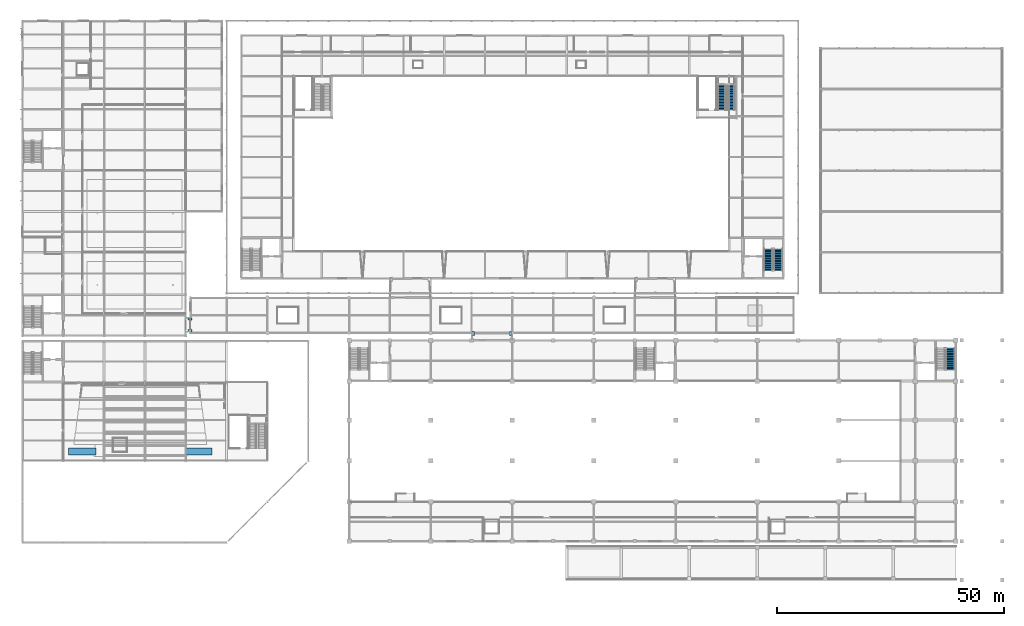
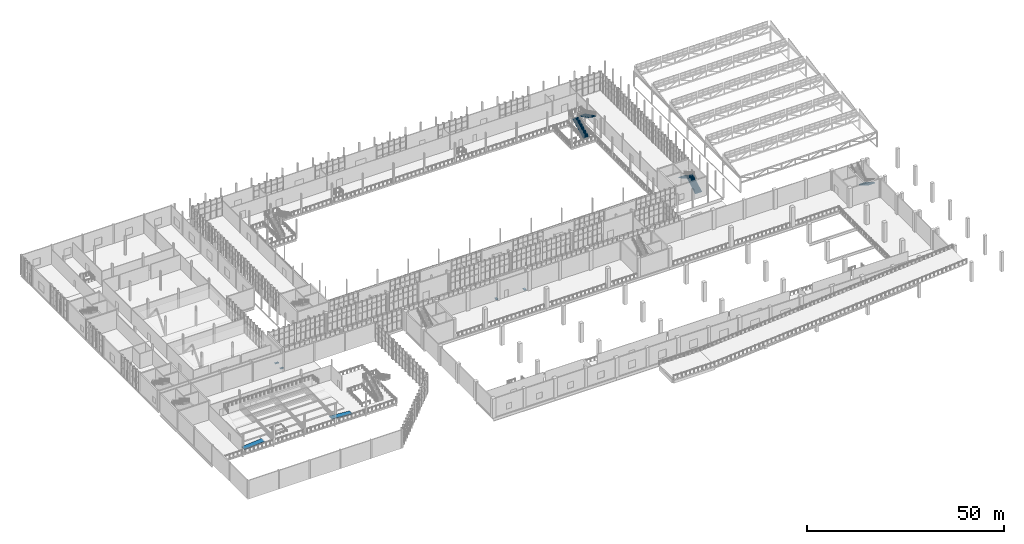
# One storey, part 130 of 159: 5 stair flights, 4 discrete accessories, 2 ramp flights, 5 elements without a shape of their own.
"""IFC4 building model written with IfcOpenShell, lengths in metres."""

import ifcopenshell
import ifcopenshell.guid

model = None  # the IFC model being written
_history = None  # IfcOwnerHistory: only IFC2X3 demands one
_inside = {}  # id of a spatial element -> (the spatial element, [elements in it])
_under = {}  # id of a project, library or spatial element -> (it, [spatial elements below it])
_declared = {}  # id of a project -> (the project, [libraries it declares])
_typed = {}  # id of a type object -> (the type object, [elements of that type])
_made_of = {}  # id of a material, layer set ... -> (it, [elements and type objects made of it])


def new_model(schema):
    """Start an empty IFC model of exactly this schema.

    Asked for "IFC4X3", IfcOpenShell would pick the latest addendum, in which some entities
    have other attributes; the version numbers below select the first issue.
    IFC2X3 requires an IfcOwnerHistory on every rooted entity: one is made here for all.
    """
    global model, _history
    if schema == "IFC4X3":
        model = ifcopenshell.file(schema_version=(4, 3, 0, 0))
    else:
        model = ifcopenshell.file(schema=schema)
    _inside.clear()
    _under.clear()
    _declared.clear()
    _typed.clear()
    _made_of.clear()
    _history = None
    if model.schema == "IFC2X3":
        org = make("IfcOrganization", Name="unknown")
        user = make(
            "IfcPersonAndOrganization",
            ThePerson=make("IfcPerson", FamilyName="unknown"),
            TheOrganization=org,
        )
        app = make(
            "IfcApplication",
            ApplicationDeveloper=org,
            Version="unknown",
            ApplicationFullName="unknown",
            ApplicationIdentifier="unknown",
        )
        _history = make(
            "IfcOwnerHistory",
            OwningUser=user,
            OwningApplication=app,
            ChangeAction="ADDED",
            CreationDate=0,
        )
    return model


def make(cls, **values):
    """One entity of the class cls with the attributes given. An attribute that is None is left unset."""
    return model.create_entity(
        cls, **{name: value for name, value in values.items() if value is not None}
    )


def rooted(cls, **values):
    """An entity with a GlobalId (a new one), such as an element, a storey or a relation."""
    return make(cls, GlobalId=ifcopenshell.guid.new(), OwnerHistory=_history, **values)


def si_unit(unit_type, name, prefix=None):
    """IfcSIUnit, for example si_unit("LENGTHUNIT", "METRE", prefix="MILLI")."""
    return make("IfcSIUnit", UnitType=unit_type, Prefix=prefix, Name=name)


def assignment(units):
    """IfcUnitAssignment: the units of a project."""
    return None if units is None else make("IfcUnitAssignment", Units=units)


def point(xyz):
    """IfcCartesianPoint."""
    return None if xyz is None else make("IfcCartesianPoint", Coordinates=xyz)


def direction(xyz):
    """IfcDirection."""
    return None if xyz is None else make("IfcDirection", DirectionRatios=xyz)


def frame(location, z_axis=None, x_axis=None):
    """IfcAxis2Placement3D, a coordinate frame: its origin and axes. An axis left out is left unset."""
    return make(
        "IfcAxis2Placement3D",
        Location=point(location),
        Axis=direction(z_axis),
        RefDirection=direction(x_axis),
    )


def frame_2d(location, x_axis=None):
    """IfcAxis2Placement2D, a coordinate frame in the plane: its origin and x axis."""
    return make(
        "IfcAxis2Placement2D", Location=point(location), RefDirection=direction(x_axis)
    )


def origin():
    """The frame at (0, 0, 0) with its axes left unset."""
    return frame((0.0, 0.0, 0.0))


def origin_2d():
    """The frame at (0, 0) in the plane with its x axis left unset."""
    return frame_2d((0.0, 0.0))


def place(relative_to, where):
    """IfcLocalPlacement: puts the frame where relative to a parent placement (None: the world)."""
    return make(
        "IfcLocalPlacement", PlacementRelTo=relative_to, RelativePlacement=where
    )


def context(
    kind, dimensions, precision=None, world=None, true_north=None, identifier=None
):
    """IfcGeometricRepresentationContext, for example the 3D "Model" context."""
    return make(
        "IfcGeometricRepresentationContext",
        ContextIdentifier=identifier,
        ContextType=kind,
        CoordinateSpaceDimension=dimensions,
        Precision=precision,
        WorldCoordinateSystem=world,
        TrueNorth=true_north,
    )


def subcontext(parent, identifier, kind, view, scale=None):
    """IfcGeometricRepresentationSubContext, for example "Body" below "Model"."""
    return make(
        "IfcGeometricRepresentationSubContext",
        ContextIdentifier=identifier,
        ContextType=kind,
        ParentContext=parent,
        TargetScale=scale,
        TargetView=view,
    )


def project(units=None, contexts=None):
    """IfcProject with its units and contexts."""
    return rooted(
        "IfcProject",
        Name="project",
        RepresentationContexts=contexts,
        UnitsInContext=assignment(units),
    )


def spatial(cls, under=None, at=None, **own):
    """A site, building, storey or space (cls), placed at a placement, below another one or the project."""
    s = rooted(cls, ObjectPlacement=at, **own)
    if under is not None:
        _under.setdefault(under.id(), (under, []))[1].append(s)
    return s


def polyline(points):
    """IfcPolyline through the points."""
    return make("IfcPolyline", Points=[point(p) for p in points])


def profile(cls, at=None, kind="AREA", **sizes):
    """A parametric profile (cls). Its sizes go by their IFC names, for example OverallWidth=200.0."""
    return make(cls, ProfileType=kind, Position=at, **sizes)


def rectangle(**sizes):
    """IfcRectangleProfileDef."""
    return profile("IfcRectangleProfileDef", **sizes)


def outline(outer, holes=None, kind="AREA"):
    """IfcArbitraryClosedProfileDef: a profile drawn as a closed curve; with holes, ...WithVoids."""
    if holes is None:
        return make("IfcArbitraryClosedProfileDef", ProfileType=kind, OuterCurve=outer)
    return make(
        "IfcArbitraryProfileDefWithVoids",
        ProfileType=kind,
        OuterCurve=outer,
        InnerCurves=holes,
    )


def extrude(swept, where, along, depth):
    """IfcExtrudedAreaSolid: the profile swept, set in the frame where, extruded along a direction by depth."""
    return make(
        "IfcExtrudedAreaSolid",
        SweptArea=swept,
        Position=where,
        ExtrudedDirection=direction(along),
        Depth=depth,
    )


def shape(context_of_items, identifier, shape_type, items):
    """IfcShapeRepresentation: the items that make up one representation, for example the "Body"."""
    return make(
        "IfcShapeRepresentation",
        ContextOfItems=context_of_items,
        RepresentationIdentifier=identifier,
        RepresentationType=shape_type,
        Items=items,
    )


def material(Name=None, Category=None):
    """IfcMaterial."""
    return make("IfcMaterial", Name=Name, Category=Category)


def made_of(thing, what):
    """Note that an element or type object is made of a material, layer set ...; save() writes the relation."""
    if what is not None:
        _made_of.setdefault(what.id(), (what, []))[1].append(thing)
    return thing


def type_object(cls, material=None, **own):
    """A type object (cls), such as IfcWallType, which elements share."""
    return made_of(rooted(cls, **own), material)


def element(
    cls,
    number,
    at=None,
    inside=None,
    cuts=None,
    type_object=None,
    material=None,
    context=None,
    identifier="Body",
    shape_type=None,
    held_by="IfcProductDefinitionShape",
    body=None,
    shapes=None,
    **own,
):
    """One element of the class cls, such as IfcWall. Its Tag is "e" and its number.

    at: its placement. inside: the storey or other place that contains it. cuts: it is an
    opening in that element (IfcRelVoidsElement). A single representation is given by context,
    identifier, shape_type and body (its items); several are given by shapes. held_by: the class
    of the entity that holds the representations. save() writes the other relations.
    """
    e = rooted(cls, Tag="e%d" % number, ObjectPlacement=at, **own)
    if body is not None:
        shapes = [shape(context, identifier, shape_type, body)]
    if shapes is not None:
        e.Representation = make(held_by, Representations=shapes)
    if inside is not None:
        _inside.setdefault(inside.id(), (inside, []))[1].append(e)
    if cuts is not None:
        rooted(
            "IfcRelVoidsElement", RelatingBuildingElement=cuts, RelatedOpeningElement=e
        )
    if type_object is not None:
        _typed.setdefault(type_object.id(), (type_object, []))[1].append(e)
    return made_of(e, material)


def aggregate(whole, parts):
    """IfcRelAggregates: a whole, such as a stair, and the parts it consists of."""
    return rooted("IfcRelAggregates", RelatingObject=whole, RelatedObjects=parts)


def save(model, path):
    """Write the relations noted so far, then the file.

    IfcRelAggregates (storeys below a building ...), IfcRelContainedInSpatialStructure (elements
    in a storey), IfcRelDefinesByType, IfcRelAssociatesMaterial and IfcRelDeclares: one each for
    every whole, place, type object, material and project.
    """
    for whole, parts in _under.values():
        aggregate(whole, parts)
    for where, things in _inside.values():
        rooted(
            "IfcRelContainedInSpatialStructure",
            RelatedElements=things,
            RelatingStructure=where,
        )
    for kind, things in _typed.values():
        rooted("IfcRelDefinesByType", RelatedObjects=things, RelatingType=kind)
    for what, things in _made_of.values():
        rooted("IfcRelAssociatesMaterial", RelatedObjects=things, RelatingMaterial=what)
    for by, libraries in _declared.values():
        rooted("IfcRelDeclares", RelatingContext=by, RelatedDefinitions=libraries)
    model.write(path)


model = new_model("IFC4")

# Units and contexts
model_context = context("Model", 3, precision=1e-05, world=origin(), true_north=direction((0.0, 1.0)))
body_context = subcontext(model_context, "Body", "Model", "MODEL_VIEW")
ifc_project = project(units=[si_unit("LENGTHUNIT", "METRE"), si_unit("AREAUNIT", "SQUARE_METRE"), si_unit("VOLUMEUNIT", "CUBIC_METRE"), si_unit("PLANEANGLEUNIT", "RADIAN"), si_unit("MASSUNIT", "GRAM", prefix="KILO")], contexts=[model_context])

# Site, building, storey
site_placement = place(None, origin())
site = spatial("IfcSite", under=ifc_project, at=site_placement, CompositionType="ELEMENT")
building_placement = place(site_placement, origin())
building = spatial("IfcBuilding", under=site, at=building_placement, Name="Cazmaro Siding Exhibition Halls", CompositionType="ELEMENT")
storey_placement = place(building_placement, frame((0.0, 0.0, 6.0)))
storey = spatial("IfcBuildingStorey", under=building, at=storey_placement, Name="L01", CompositionType="ELEMENT", Elevation=6.0)

# Stair, stair flights
ifc_material_1 = material(Name="Concrete f'c 40 MPa", Category="concrete")
stair_type_1 = type_object("IfcStairType", Name="STT-04", PredefinedType="TWO_STRAIGHT_RUN_STAIR", material=ifc_material_1)
stair_1_placement = place(storey_placement, origin())
stair_1 = element("IfcStair", 1, at=stair_1_placement, inside=storey, type_object=stair_type_1, Name="Core C2 Exit Stair L01-L02 ST-04", PredefinedType="TWO_STRAIGHT_RUN_STAIR")
ifc_material_2 = material(Name="Concrete f'c 40 MPa", Category="concrete")
stair_flight_type_1 = type_object("IfcStairFlightType", Name="STF-04", PredefinedType="STRAIGHT", material=ifc_material_2)
stair_flight_1_placement = place(storey_placement, frame((166.610107421875, 68.9599609375, 0.0), z_axis=(0.0, 0.0, 1.0), x_axis=(0.0, 1.0, 0.0)))
stair_flight_1 = element("IfcStairFlight", 2, at=stair_flight_1_placement, type_object=stair_flight_type_1, Name="ST-04 flight 1", NumberOfRisers=18, NumberOfTreads=17, PredefinedType="STRAIGHT", RiserHeight=0.16667, TreadLength=0.28, context=body_context, shape_type="SweptSolid", body=[
    extrude(outline(polyline([(0.0, 0.0), (0.0, 0.166748046875), (0.280029296875, 0.166748046875), (0.280029296875, 0.333251953125), (0.56005859375, 0.333251953125), (0.56005859375, 0.5), (0.840087890625, 0.5), (0.840087890625, 0.666748046875), (1.1201171875, 0.666748046875), (1.1201171875, 0.833251953125), (1.39990234375, 0.833251953125), (1.39990234375, 1.0), (1.679931640625, 1.0), (1.679931640625, 1.166748046875), (1.9599609375, 1.166748046875), (1.9599609375, 1.333251953125), (2.239990234375, 1.333251953125), (2.239990234375, 1.5), (2.52001953125, 1.5), (2.52001953125, 1.666748046875), (2.800048828125, 1.666748046875), (2.800048828125, 1.833251953125), (3.080078125, 1.833251953125), (3.080078125, 2.0), (3.360107421875, 2.0), (3.360107421875, 2.166748046875), (3.639892578125, 2.166748046875), (3.639892578125, 2.33349609375), (3.919921875, 2.33349609375), (3.919921875, 2.5), (4.199951171875, 2.5), (4.199951171875, 2.666748046875), (4.47998046875, 2.666748046875), (4.47998046875, 2.83349609375), (4.760009765625, 2.83349609375), (4.760009765625, 3.0), (4.760009765625, 2.647216796875), (0.312744140625, 0.0), (0.0, 0.0)])), frame((0.0, 0.96484375, 0.0), z_axis=(0.0, -1.0, 0.0), x_axis=(1.0, 0.0, 0.0)), (0.0, 0.0, 1.0), 1.929931640625),
])
stair_flight_2_placement = place(storey_placement, frame((164.43505859375, 73.719970703125, 3.0), z_axis=(0.0, 0.0, 1.0), x_axis=(0.0, -1.0, 0.0)))
stair_flight_2 = element("IfcStairFlight", 3, at=stair_flight_2_placement, type_object=stair_flight_type_1, Name="ST-04 flight 2", NumberOfRisers=18, NumberOfTreads=17, PredefinedType="STRAIGHT", RiserHeight=0.16667, TreadLength=0.28, context=body_context, shape_type="SweptSolid", body=[
    extrude(outline(polyline([(0.0, 0.0), (0.0, 0.166748046875), (0.280029296875, 0.166748046875), (0.280029296875, 0.333251953125), (0.56005859375, 0.333251953125), (0.56005859375, 0.5), (0.840087890625, 0.5), (0.840087890625, 0.666748046875), (1.1201171875, 0.666748046875), (1.1201171875, 0.833251953125), (1.39990234375, 0.833251953125), (1.39990234375, 1.0), (1.679931640625, 1.0), (1.679931640625, 1.166748046875), (1.9599609375, 1.166748046875), (1.9599609375, 1.333251953125), (2.239990234375, 1.333251953125), (2.239990234375, 1.5), (2.52001953125, 1.5), (2.52001953125, 1.666748046875), (2.800048828125, 1.666748046875), (2.800048828125, 1.833251953125), (3.080078125, 1.833251953125), (3.080078125, 2.0), (3.360107421875, 2.0), (3.360107421875, 2.166748046875), (3.639892578125, 2.166748046875), (3.639892578125, 2.33349609375), (3.919921875, 2.33349609375), (3.919921875, 2.5), (4.199951171875, 2.5), (4.199951171875, 2.666748046875), (4.47998046875, 2.666748046875), (4.47998046875, 2.83349609375), (4.760009765625, 2.83349609375), (4.760009765625, 3.0), (4.760009765625, 2.647216796875), (0.312744140625, 0.0), (0.0, 0.0)])), frame((0.0, 0.96484375, 0.0), z_axis=(0.0, -1.0, 0.0), x_axis=(1.0, 0.0, 0.0)), (0.0, 0.0, 1.0), 1.929931640625),
])
aggregate(stair_1, [stair_flight_1, stair_flight_2])

# Stair, stair flight
ifc_material_3 = material(Name="Concrete f'c 40 MPa", Category="concrete")
stair_type_2 = type_object("IfcStairType", Name="STT-10", PredefinedType="TWO_STRAIGHT_RUN_STAIR", material=ifc_material_3)
stair_2_placement = place(storey_placement, origin())
stair_2 = element("IfcStair", 4, at=stair_2_placement, inside=storey, type_object=stair_type_2, Name="Core C5 Exit Stair L01-L02 ST-10", PredefinedType="TWO_STRAIGHT_RUN_STAIR")
ifc_material_4 = material(Name="Concrete f'c 40 MPa", Category="concrete")
stair_flight_type_2 = type_object("IfcStairFlightType", Name="STF-10", PredefinedType="STRAIGHT", material=ifc_material_4)
stair_flight_3_placement = place(storey_placement, frame((204.60498046875, 51.840087890625, 0.0), z_axis=(0.0, 0.0, 1.0), x_axis=(0.0, -1.0, 0.0)))
stair_flight_3 = element("IfcStairFlight", 5, at=stair_flight_3_placement, type_object=stair_flight_type_2, Name="ST-10 flight 1", NumberOfRisers=18, NumberOfTreads=17, PredefinedType="STRAIGHT", RiserHeight=0.16667, TreadLength=0.28, context=body_context, shape_type="SweptSolid", body=[
    extrude(outline(polyline([(0.0, 0.0), (0.0, 0.166748046875), (0.280029296875, 0.166748046875), (0.280029296875, 0.333251953125), (0.56005859375, 0.333251953125), (0.56005859375, 0.5), (0.840087890625, 0.5), (0.840087890625, 0.666748046875), (1.1201171875, 0.666748046875), (1.1201171875, 0.833251953125), (1.39990234375, 0.833251953125), (1.39990234375, 1.0), (1.679931640625, 1.0), (1.679931640625, 1.166748046875), (1.9599609375, 1.166748046875), (1.9599609375, 1.333251953125), (2.239990234375, 1.333251953125), (2.239990234375, 1.5), (2.52001953125, 1.5), (2.52001953125, 1.666748046875), (2.800048828125, 1.666748046875), (2.800048828125, 1.833251953125), (3.080078125, 1.833251953125), (3.080078125, 2.0), (3.360107421875, 2.0), (3.360107421875, 2.166748046875), (3.639892578125, 2.166748046875), (3.639892578125, 2.33349609375), (3.919921875, 2.33349609375), (3.919921875, 2.5), (4.199951171875, 2.5), (4.199951171875, 2.666748046875), (4.47998046875, 2.666748046875), (4.47998046875, 2.83349609375), (4.760009765625, 2.83349609375), (4.760009765625, 3.0), (4.760009765625, 2.647216796875), (0.312744140625, 0.0), (0.0, 0.0)])), frame((0.0, 0.969970703125, 0.0), z_axis=(0.0, -1.0, 0.0), x_axis=(1.0, 0.0, 0.0)), (0.0, 0.0, 1.0), 1.93994140625),
])
aggregate(stair_2, [stair_flight_3])

# Stair, stair flights
ifc_material_5 = material(Name="Steel ASTM A992 Grade 50 Stringers with Precast Treads", Category="concrete")
stair_type_3 = type_object("IfcStairType", Name="STT-25", PredefinedType="TWO_STRAIGHT_RUN_STAIR", material=ifc_material_5)
stair_3_placement = place(storey_placement, origin())
stair_3 = element("IfcStair", 6, at=stair_3_placement, inside=storey, type_object=stair_type_3, Name="Hall A East Feature Gallery Stair L01-L02 ST-25", PredefinedType="TWO_STRAIGHT_RUN_STAIR")
ifc_material_6 = material(Name="Precast Concrete Treads f'c 40 MPa on Steel Stringers", Category="concrete")
stair_flight_type_3 = type_object("IfcStairFlightType", Name="STF-25", PredefinedType="STRAIGHT", material=ifc_material_6)
stair_flight_4_placement = place(storey_placement, frame((154.199951171875, 104.3798828125, 0.0), z_axis=(0.0, 0.0, 1.0), x_axis=(0.0, 1.0, 0.0)))
stair_flight_4 = element("IfcStairFlight", 7, at=stair_flight_4_placement, type_object=stair_flight_type_3, Name="ST-25 flight 1", NumberOfRisers=18, NumberOfTreads=17, PredefinedType="STRAIGHT", RiserHeight=0.16667, TreadLength=0.325, context=body_context, shape_type="SweptSolid", body=[
    extrude(outline(polyline([(0.0, 0.0), (0.0, 0.166748046875), (0.324951171875, 0.166748046875), (0.324951171875, 0.333251953125), (0.64990234375, 0.333251953125), (0.64990234375, 0.5), (0.97509765625, 0.5), (0.97509765625, 0.666748046875), (1.300048828125, 0.666748046875), (1.300048828125, 0.833251953125), (1.625, 0.833251953125), (1.625, 1.0), (1.949951171875, 1.0), (1.949951171875, 1.166748046875), (2.27490234375, 1.166748046875), (2.27490234375, 1.333251953125), (2.60009765625, 1.333251953125), (2.60009765625, 1.5), (2.925048828125, 1.5), (2.925048828125, 1.666748046875), (3.25, 1.666748046875), (3.25, 1.833251953125), (3.574951171875, 1.833251953125), (3.574951171875, 2.0), (3.89990234375, 2.0), (3.89990234375, 2.166748046875), (4.22509765625, 2.166748046875), (4.22509765625, 2.33349609375), (4.550048828125, 2.33349609375), (4.550048828125, 2.5), (4.875, 2.5), (4.875, 2.666748046875), (5.199951171875, 2.666748046875), (5.199951171875, 2.83349609375), (5.52490234375, 2.83349609375), (5.52490234375, 3.0), (5.52490234375, 2.653564453125), (0.350341796875, 0.0), (0.0, 0.0)])), frame((0.0, 0.844970703125, 0.0), z_axis=(0.0, -1.0, 0.0), x_axis=(1.0, 0.0, 0.0)), (0.0, 0.0, 1.0), 1.68994140625),
])
stair_flight_5_placement = place(storey_placement, frame((156.179931640625, 109.905029296875, 3.0), z_axis=(0.0, 0.0, 1.0), x_axis=(0.0, -1.0, 0.0)))
stair_flight_5 = element("IfcStairFlight", 8, at=stair_flight_5_placement, type_object=stair_flight_type_3, Name="ST-25 flight 2", NumberOfRisers=18, NumberOfTreads=17, PredefinedType="STRAIGHT", RiserHeight=0.16667, TreadLength=0.325, context=body_context, shape_type="SweptSolid", body=[
    extrude(outline(polyline([(0.0, 0.0), (0.0, 0.166748046875), (0.324951171875, 0.166748046875), (0.324951171875, 0.333251953125), (0.64990234375, 0.333251953125), (0.64990234375, 0.5), (0.97509765625, 0.5), (0.97509765625, 0.666748046875), (1.300048828125, 0.666748046875), (1.300048828125, 0.833251953125), (1.625, 0.833251953125), (1.625, 1.0), (1.949951171875, 1.0), (1.949951171875, 1.166748046875), (2.27490234375, 1.166748046875), (2.27490234375, 1.333251953125), (2.60009765625, 1.333251953125), (2.60009765625, 1.5), (2.925048828125, 1.5), (2.925048828125, 1.666748046875), (3.25, 1.666748046875), (3.25, 1.833251953125), (3.574951171875, 1.833251953125), (3.574951171875, 2.0), (3.89990234375, 2.0), (3.89990234375, 2.166748046875), (4.22509765625, 2.166748046875), (4.22509765625, 2.33349609375), (4.550048828125, 2.33349609375), (4.550048828125, 2.5), (4.875, 2.5), (4.875, 2.666748046875), (5.199951171875, 2.666748046875), (5.199951171875, 2.83349609375), (5.52490234375, 2.83349609375), (5.52490234375, 3.0), (5.52490234375, 2.653564453125), (0.350341796875, 0.0), (0.0, 0.0)])), frame((0.0, 0.844970703125, 0.0), z_axis=(0.0, -1.0, 0.0), x_axis=(1.0, 0.0, 0.0)), (0.0, 0.0, 1.0), 1.68994140625),
])
aggregate(stair_3, [stair_flight_4, stair_flight_5])

# Ramp, ramp flight
ifc_material_7 = material(Name="Concrete f'c 35 MPa", Category="concrete")
ramp_type = type_object("IfcRampType", Name="RMP-PED-01", PredefinedType="STRAIGHT_RUN_RAMP", material=ifc_material_7)
ramp_1_placement = place(storey_placement, origin())
ramp_1 = element("IfcRamp", 9, at=ramp_1_placement, inside=storey, type_object=ramp_type, Name="Accessible Pedestrian Stage Ramp AR-03", PredefinedType="STRAIGHT_RUN_RAMP")
ifc_material_8 = material(Name="Concrete f'c 35 MPa", Category="concrete")
ramp_flight_type = type_object("IfcRampFlightType", Name="RMPF-PED-01", PredefinedType="STRAIGHT", material=ifc_material_8)
ramp_flight_1_placement = place(storey_placement, frame((10.199951171875, 29.10009765625, 0.0), z_axis=(0.0, 0.0, 1.0), x_axis=(1.0, 0.0, 0.0)))
ramp_flight_1 = element("IfcRampFlight", 10, at=ramp_flight_1_placement, type_object=ramp_flight_type, Name="Accessible Pedestrian Stage Ramp AR-03 Flight 1", PredefinedType="STRAIGHT", context=body_context, shape_type="SweptSolid", body=[
    extrude(outline(polyline([(0.0, -0.179931640625), (6.0, 0.320068359375), (6.0, 0.5), (0.0, 0.0), (0.0, -0.179931640625)])), frame((0.0, 0.75, 0.0), z_axis=(0.0, -1.0, 0.0), x_axis=(1.0, 0.0, 0.0)), (0.0, 0.0, 1.0), 1.5),
])
aggregate(ramp_1, [ramp_flight_1])

ramp_2_placement = place(storey_placement, origin())
ramp_2 = element("IfcRamp", 11, at=ramp_2_placement, inside=storey, type_object=ramp_type, Name="Accessible Pedestrian Stage Ramp AR-04", PredefinedType="STRAIGHT_RUN_RAMP")
ramp_flight_2_placement = place(storey_placement, frame((41.800048828125, 29.10009765625, 0.0), z_axis=(0.0, 0.0, 1.0), x_axis=(-1.0, 0.0, 0.0)))
ramp_flight_2 = element("IfcRampFlight", 12, at=ramp_flight_2_placement, type_object=ramp_flight_type, Name="Accessible Pedestrian Stage Ramp AR-04 Flight 1", PredefinedType="STRAIGHT", context=body_context, shape_type="SweptSolid", body=[
    extrude(outline(polyline([(0.0, -0.179931640625), (6.0, 0.320068359375), (6.0, 0.5), (0.0, 0.0), (0.0, -0.179931640625)])), frame((0.0, 0.75, 0.0), z_axis=(0.0, -1.0, 0.0), x_axis=(1.0, 0.0, 0.0)), (0.0, 0.0, 1.0), 1.5),
])
aggregate(ramp_2, [ramp_flight_2])

# Discrete accessories
ifc_material_9 = material(Name="Steel ASTM A572 Grade 50", Category="steel")
discrete_accessory_type = type_object("IfcDiscreteAccessoryType", Name="SBK-SEAT-01", PredefinedType="BRACKET", material=ifc_material_9)
for number, where, z_axis, x_axis, name in (
    (13, (99.35009765625, 55.050048828125, -0.7509765625), (0.0, 0.0, 1.0), (1.0, 0.0, 0.0), "Bridge Sliding Seat Corbel 900mm SB-03 L01"),
    (14, (107.64990234375, 55.050048828125, -0.7509765625), (0.0, 0.0, 1.0), (1.0, 0.0, 0.0), "Bridge Sliding Seat Corbel 900mm SB-03 L01"),
):
    element("IfcDiscreteAccessory", number, at=place(storey_placement, frame(where, z_axis=z_axis, x_axis=x_axis)), inside=storey, type_object=discrete_accessory_type, Name=name, PredefinedType="BRACKET", context=body_context, shape_type="SweptSolid", body=[
        extrude(rectangle(XDim=0.52001953125, YDim=0.89990234375, at=origin_2d()), origin(), (0.0, 0.0, 1.0), 0.179931640625),
    ])
for number, where, z_axis, x_axis, name in (
    (15, (36.89990234375, 55.699951171875, -0.7509765625), (0.0, 0.0, 1.0), (1.0, 0.0, 0.0), "Bridge Sliding Seat Corbel 900mm SB-04 L01"),
    (16, (36.89990234375, 58.300048828125, -0.7509765625), (0.0, 0.0, 1.0), (1.0, 0.0, 0.0), "Bridge Sliding Seat Corbel 900mm SB-04 L01"),
):
    element("IfcDiscreteAccessory", number, at=place(storey_placement, frame(where, z_axis=z_axis, x_axis=x_axis)), inside=storey, type_object=discrete_accessory_type, Name=name, PredefinedType="BRACKET", context=body_context, shape_type="SweptSolid", body=[
        extrude(rectangle(XDim=0.89990234375, YDim=0.52001953125, at=origin_2d()), origin(), (0.0, 0.0, 1.0), 0.179931640625),
    ])

save(model, "model.ifc")
